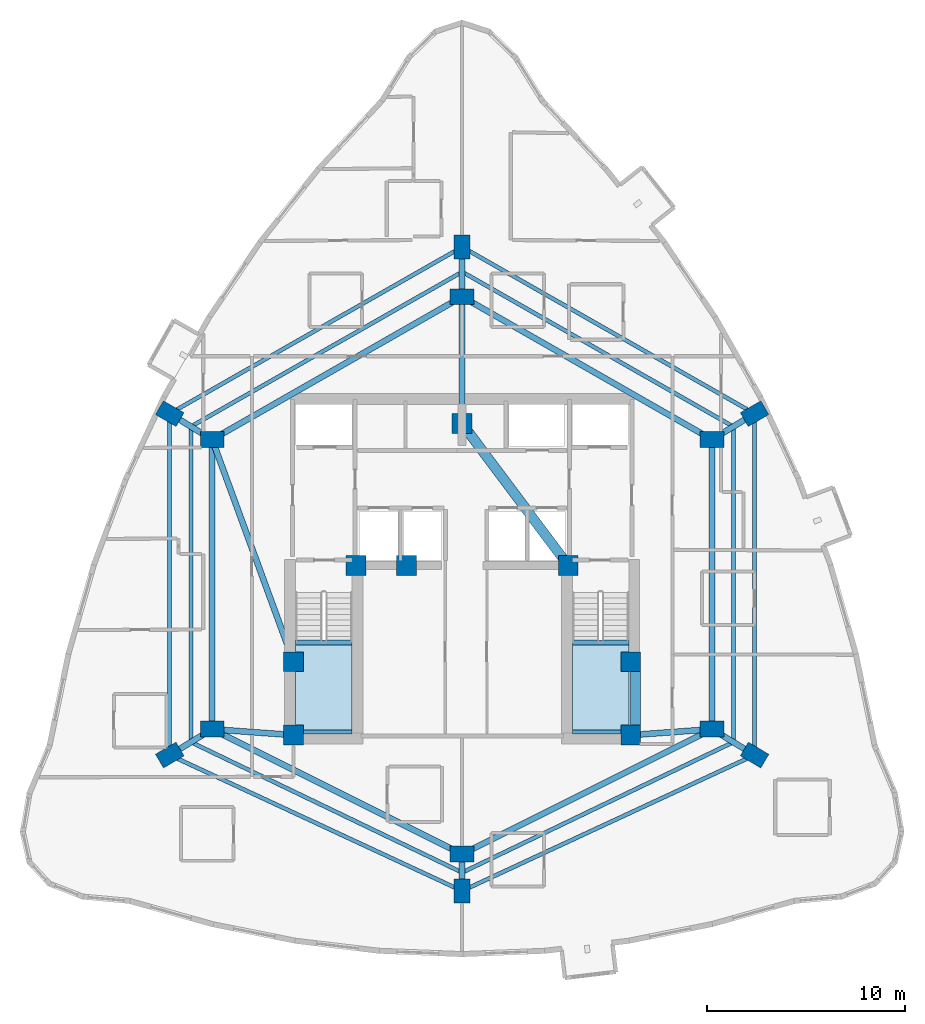
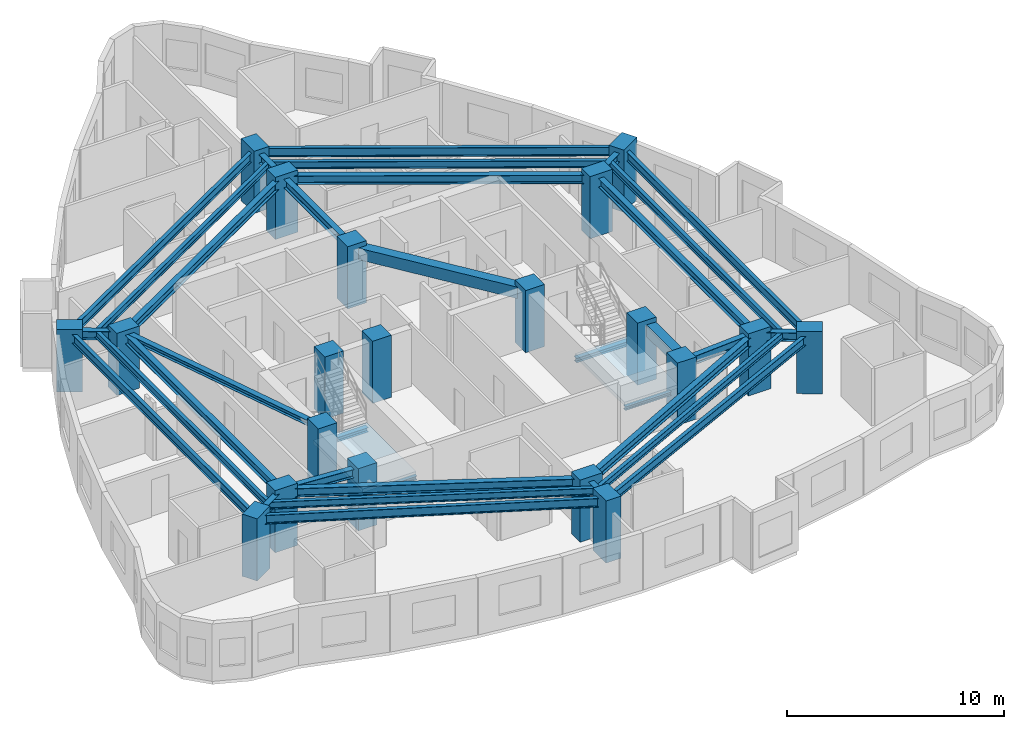
# One storey, part 1 of 12: 34 beams, 20 columns, 2 slabs, 2 elements without a shape of their own.
"""IFC4 building model written with IfcOpenShell, lengths in metres."""

from ifc_helpers import new_model, si_unit, direction, frame, origin, origin_2d, place, context, subcontext, project, spatial, polyline, rectangle, i_section, outline, extrude, material, layer, layer_set, material_profile, profile_set, type_object, element, aggregate, save


model = new_model("IFC4")

# Units and contexts
model_context = context("Model", 3, precision=1e-05, world=origin(), true_north=direction((0.0, 1.0)))
body_context = subcontext(model_context, "Body", "Model", "MODEL_VIEW")
ifc_project = project(units=[si_unit("LENGTHUNIT", "METRE"), si_unit("AREAUNIT", "SQUARE_METRE"), si_unit("VOLUMEUNIT", "CUBIC_METRE"), si_unit("PLANEANGLEUNIT", "RADIAN"), si_unit("MASSUNIT", "GRAM", prefix="KILO")], contexts=[model_context])

# Site, building, storey
site_placement = place(None, origin())
site = spatial("IfcSite", under=ifc_project, at=site_placement, CompositionType="ELEMENT")
building_placement = place(site_placement, origin())
building = spatial("IfcBuilding", under=site, at=building_placement, Name="Miruveldt Soraemaru", CompositionType="ELEMENT")
storey_placement = place(building_placement, frame((0.0, 0.0, 110.89990234375)))
storey = spatial("IfcBuildingStorey", under=building, at=storey_placement, Name="L30", CompositionType="ELEMENT", Elevation=110.89990234375)

# Columns
ifc_material_1 = material(Name="Concrete C60/75 (60 MPa)", Category="concrete")
ifc_material_profile_1 = material_profile(ifc_material_1, rectangle(XDim=1.0, YDim=1.0, at=origin_2d()), Name="Concrete C60/75 (60 MPa)", Category="concrete")
ifc_profile_set_1 = profile_set([ifc_material_profile_1], Name="Concrete C60/75 (60 MPa)")
column_type_1 = type_object("IfcColumnType", Name="COL-CORE-1000", PredefinedType="COLUMN", material=ifc_profile_set_1)
for number, where, z_axis, x_axis, name in (
    (1, (35.5, 35.5, 0.0), (0.0, 0.0, 1.0), (1.0, 0.0, 0.0), "L30 Structural Column CC1"),
    (2, (38.64990234375, 44.050048828125, 0.0), (0.0, 0.0, 1.0), (1.0, 0.0, 0.0), "L30 Structural Column CC2"),
    (3, (52.5, 35.5, 0.0), (0.0, 0.0, 1.0), (1.0, 0.0, 0.0), "L30 Structural Column CC3"),
    (4, (52.5, 39.199951171875, 0.0), (0.0, 0.0, 1.0), (1.0, 0.0, 0.0), "L30 Structural Column CC4"),
    (5, (49.35009765625, 44.050048828125, 0.0), (0.0, 0.0, 1.0), (1.0, 0.0, 0.0), "L30 Structural Column CC5"),
    (6, (44.0, 51.199951171875, 0.0), (0.0, 0.0, 1.0), (1.0, 0.0, 0.0), "L30 Structural Column CC6"),
    (7, (35.5, 39.199951171875, 0.0), (0.0, 0.0, 1.0), (1.0, 0.0, 0.0), "L30 Structural Column CC7"),
    (8, (41.199951171875, 44.050048828125, 0.0), (0.0, 0.0, 1.0), (1.0, 0.0, 0.0), "L30 Structural Column CC8"),
):
    element("IfcColumn", number, at=place(storey_placement, frame(where, z_axis=z_axis, x_axis=x_axis)), inside=storey, type_object=column_type_1, Name=name, PredefinedType="COLUMN", context=body_context, shape_type="SweptSolid", body=[
        extrude(rectangle(XDim=1.0, YDim=1.0, at=origin_2d()), origin(), (0.0, 0.0, 1.0), 3.5),
    ])
ifc_material_2 = material(Name="Concrete C70/85 (70 MPa)", Category="concrete")
ifc_material_profile_2 = material_profile(ifc_material_2, rectangle(XDim=1.199951171875, YDim=0.800048828125, at=origin_2d()), Name="Concrete C70/85 (70 MPa)", Category="concrete")
ifc_profile_set_2 = profile_set([ifc_material_profile_2], Name="Concrete C70/85 (70 MPa)")
column_type_2 = type_object("IfcColumnType", Name="COL-TW-Z2", PredefinedType="COLUMN", material=ifc_profile_set_2)
for number, where, z_axis, x_axis, name in (
    (9, (44.0, 57.60009765625, 0.0), (0.0, 0.0, 1.0), (1.0, 0.0, 0.0), "L30 Structural Column IR01"),
    (10, (56.60009765625, 50.39990234375, 0.0), (0.0, 0.0, 1.0), (1.0, 0.0, 0.0), "L30 Structural Column IR02"),
    (11, (56.60009765625, 35.800048828125, 0.0), (0.0, 0.0, 1.0), (1.0, 0.0, 0.0), "L30 Structural Column IR03"),
    (12, (44.0, 29.5, 0.0), (0.0, 0.0, 1.0), (1.0, 0.0, 0.0), "L30 Structural Column IR04"),
    (13, (31.39990234375, 35.800048828125, 0.0), (0.0, 0.0, 1.0), (1.0, 0.0, 0.0), "L30 Structural Column IR05"),
    (14, (31.39990234375, 50.39990234375, 0.0), (0.0, 0.0, 1.0), (1.0, 0.0, 0.0), "L30 Structural Column IR06"),
    (15, (44.0, 60.10595703125, 0.0), (0.0, 0.0, 1.0), (0.0, 1.0, 0.0), "L30 Structural Column Z2P01"),
    (16, (58.739990234375, 51.705078125, 0.0), (0.0, 0.0, 1.0), (0.866025403784, 0.5, 0.0), "L30 Structural Column Z2P02"),
    (17, (58.739990234375, 34.4951171875, 0.0), (0.0, 0.0, 1.0), (-0.860742027004, 0.50904141575, 0.0), "L30 Structural Column Z2P03"),
    (18, (44.0, 27.64697265625, 0.0), (0.0, 0.0, 1.0), (0.0, 1.0, 0.0), "L30 Structural Column Z2P04"),
    (19, (29.260009765625, 34.4951171875, 0.0), (0.0, 0.0, 1.0), (0.860742027004, 0.50904141575, 0.0), "L30 Structural Column Z2P05"),
    (20, (29.260009765625, 51.705078125, 0.0), (0.0, 0.0, 1.0), (-0.866025403784, 0.5, 0.0), "L30 Structural Column Z2P06"),
):
    element("IfcColumn", number, at=place(storey_placement, frame(where, z_axis=z_axis, x_axis=x_axis)), inside=storey, type_object=column_type_2, Name=name, PredefinedType="COLUMN", context=body_context, shape_type="SweptSolid", body=[
        extrude(rectangle(XDim=1.199951171875, YDim=0.800048828125, at=origin_2d()), origin(), (0.0, 0.0, 1.0), 3.5),
    ])

# Beams
ifc_material_3 = material(Name="Steel SM355 (355 MPa)", Category="steel")
ifc_material_profile_3 = material_profile(ifc_material_3, i_section(OverallWidth=0.300048828125, OverallDepth=0.300048828125, WebThickness=0.010009765625, FlangeThickness=0.014892578125, FilletRadius=0.01806640625, at=origin_2d()), Name="Steel SM355 (355 MPa)", Category="steel")
ifc_profile_set_3 = profile_set([ifc_material_profile_3], Name="Steel SM355 (355 MPa)")
beam_type_1 = type_object("IfcBeamType", Name="BM-LNT-H300", PredefinedType="LINTEL", material=ifc_profile_set_3)
beam_1_placement = place(storey_placement, frame((31.39990234375, 50.39990234375, 3.085205078125), z_axis=(0.343770424598, -0.939053723262, 0.0), x_axis=(0.939053723262, 0.343770424598, 0.0)))
element("IfcBeam", 21, at=beam_1_placement, inside=storey, type_object=beam_type_1, Name="L30 West Lobby Lintel", PredefinedType="LINTEL", context=body_context, shape_type="SweptSolid", body=[
    extrude(i_section(OverallWidth=0.300048828125, OverallDepth=0.300048828125, WebThickness=0.010009765625, FlangeThickness=0.014892578125, FilletRadius=0.01806640625, at=origin_2d()), origin(), (0.0, 0.0, 1.0), 11.9267578125),
])
ifc_material_4 = material(Name="Concrete C50/60 (50 MPa)", Category="concrete")
ifc_material_profile_4 = material_profile(ifc_material_4, rectangle(XDim=0.5, YDim=0.64990234375, at=origin_2d()), Name="Concrete C50/60 (50 MPa)", Category="concrete")
ifc_profile_set_4 = profile_set([ifc_material_profile_4], Name="Concrete C50/60 (50 MPa)")
beam_type_2 = type_object("IfcBeamType", Name="BM-RC-500x650", PredefinedType="BEAM", material=ifc_profile_set_4)
beam_2_placement = place(storey_placement, frame((52.72998046875, 35.5, 2.91015625), z_axis=(0.0, 1.0, 0.0), x_axis=(-1.0, 0.0, 0.0)))
element("IfcBeam", 22, at=beam_2_placement, inside=storey, type_object=beam_type_2, Name="L30 Core Tie Beam 3", PredefinedType="BEAM", context=body_context, shape_type="SweptSolid", body=[
    extrude(rectangle(XDim=0.5, YDim=0.64990234375, at=origin_2d()), origin(), (0.0, 0.0, 1.0), 3.699951171875),
])
beam_3_placement = place(storey_placement, frame((49.35009765625, 44.050048828125, 2.91015625), z_axis=(-0.599116023999, 0.800662219533, 0.0), x_axis=(-0.800662219533, -0.599116023999, 0.0)))
element("IfcBeam", 23, at=beam_3_placement, inside=storey, type_object=beam_type_2, Name="L30 Core Tie Beam 5", PredefinedType="BEAM", context=body_context, shape_type="SweptSolid", body=[
    extrude(rectangle(XDim=0.5, YDim=0.64990234375, at=origin_2d()), origin(), (0.0, 0.0, 1.0), 8.929931640625),
])
ifc_material_profile_5 = material_profile(ifc_material_3, i_section(OverallWidth=0.199951171875, OverallDepth=0.39990234375, WebThickness=0.008056640625, FlangeThickness=0.012939453125, FilletRadius=0.01611328125, at=origin_2d()), Name="Steel SM355 (355 MPa)", Category="steel")
ifc_profile_set_5 = profile_set([ifc_material_profile_5], Name="Steel SM355 (355 MPa)")
beam_type_3 = type_object("IfcBeamType", Name="BM-ST-H400", PredefinedType="JOIST", material=ifc_profile_set_5)
beam_4_placement = place(storey_placement, frame((44.0, 58.85302734375, 3.03515625), z_axis=(0.868539859756, -0.495619321672, 0.0), x_axis=(0.495619321672, 0.868539859756, 0.0)))
element("IfcBeam", 24, at=beam_4_placement, inside=storey, type_object=beam_type_3, Name="L30 Outer Bay Floor Joist 1", PredefinedType="JOIST", context=body_context, shape_type="SweptSolid", body=[
    extrude(i_section(OverallWidth=0.199951171875, OverallDepth=0.39990234375, WebThickness=0.008056640625, FlangeThickness=0.012939453125, FilletRadius=0.01611328125, at=origin_2d()), origin(), (0.0, 0.0, 1.0), 15.739013671875),
])
beam_5_placement = place(storey_placement, frame((57.669921875, 51.052490234375, 3.03515625), z_axis=(0.0, -1.0, 0.0), x_axis=(1.0, 0.0, 0.0)))
element("IfcBeam", 25, at=beam_5_placement, inside=storey, type_object=beam_type_3, Name="L30 Outer Bay Floor Joist 2", PredefinedType="JOIST", context=body_context, shape_type="SweptSolid", body=[
    extrude(i_section(OverallWidth=0.199951171875, OverallDepth=0.39990234375, WebThickness=0.008056640625, FlangeThickness=0.012939453125, FilletRadius=0.01611328125, at=origin_2d()), origin(), (0.0, 0.0, 1.0), 15.905029296875),
])
for number, where, z_axis, x_axis, name in (
    (26, (57.669921875, 35.1474609375, 3.03515625), (-0.901203586802, -0.433396002676, 0.0), (0.433396002676, -0.901203586802, 0.0), "L30 Outer Bay Floor Joist 3"),
    (27, (44.0, 28.573486328125, 3.03515625), (-0.901203586802, 0.433396002676, 0.0), (-0.433396002676, -0.901203586802, 0.0), "L30 Outer Bay Floor Joist 4"),
):
    element("IfcBeam", number, at=place(storey_placement, frame(where, z_axis=z_axis, x_axis=x_axis)), inside=storey, type_object=beam_type_3, Name=name, PredefinedType="JOIST", context=body_context, shape_type="SweptSolid", body=[
        extrude(i_section(OverallWidth=0.199951171875, OverallDepth=0.39990234375, WebThickness=0.008056640625, FlangeThickness=0.012939453125, FilletRadius=0.01611328125, at=origin_2d()), origin(), (0.0, 0.0, 1.0), 15.16845703125),
    ])
beam_6_placement = place(storey_placement, frame((30.330078125, 35.1474609375, 3.03515625), z_axis=(0.0, 1.0, 0.0), x_axis=(-1.0, 0.0, 0.0)))
element("IfcBeam", 28, at=beam_6_placement, inside=storey, type_object=beam_type_3, Name="L30 Outer Bay Floor Joist 5", PredefinedType="JOIST", context=body_context, shape_type="SweptSolid", body=[
    extrude(i_section(OverallWidth=0.199951171875, OverallDepth=0.39990234375, WebThickness=0.008056640625, FlangeThickness=0.012939453125, FilletRadius=0.01611328125, at=origin_2d()), origin(), (0.0, 0.0, 1.0), 15.905029296875),
])
beam_7_placement = place(storey_placement, frame((30.330078125, 51.052490234375, 3.03515625), z_axis=(0.868539859756, 0.495619321672, 0.0), x_axis=(-0.495619321672, 0.868539859756, 0.0)))
element("IfcBeam", 29, at=beam_7_placement, inside=storey, type_object=beam_type_3, Name="L30 Outer Bay Floor Joist 6", PredefinedType="JOIST", context=body_context, shape_type="SweptSolid", body=[
    extrude(i_section(OverallWidth=0.199951171875, OverallDepth=0.39990234375, WebThickness=0.008056640625, FlangeThickness=0.012939453125, FilletRadius=0.01611328125, at=origin_2d()), origin(), (0.0, 0.0, 1.0), 15.739013671875),
])
ifc_material_profile_6 = material_profile(ifc_material_3, i_section(OverallWidth=0.300048828125, OverallDepth=0.488037109375, WebThickness=0.010986328125, FlangeThickness=0.01806640625, FilletRadius=0.02587890625, at=origin_2d()), Name="Steel SM355 (355 MPa)", Category="steel")
ifc_profile_set_6 = profile_set([ifc_material_profile_6], Name="Steel SM355 (355 MPa)")
beam_type_4 = type_object("IfcBeamType", Name="BM-ST-H488", PredefinedType="BEAM", material=ifc_profile_set_6)
beam_8_placement = place(storey_placement, frame((44.0, 57.60009765625, 2.9912109375), z_axis=(0.868239001029, -0.496146185203, 0.0), x_axis=(0.496146185203, 0.868239001029, 0.0)))
element("IfcBeam", 30, at=beam_8_placement, inside=storey, type_object=beam_type_4, Name="L30 Inner Ring Girder 1", PredefinedType="BEAM", context=body_context, shape_type="SweptSolid", body=[
    extrude(i_section(OverallWidth=0.300048828125, OverallDepth=0.488037109375, WebThickness=0.010986328125, FlangeThickness=0.01806640625, FilletRadius=0.02587890625, at=origin_2d()), origin(), (0.0, 0.0, 1.0), 14.51220703125),
])
beam_9_placement = place(storey_placement, frame((44.0, 51.199951171875, 2.9912109375), z_axis=(0.0, 1.0, 0.0), x_axis=(-1.0, 0.0, 0.0)))
element("IfcBeam", 31, at=beam_9_placement, inside=storey, type_object=beam_type_4, Name="L30 Core-to-Inner Radial Girder 1", PredefinedType="BEAM", context=body_context, shape_type="SweptSolid", body=[
    extrude(i_section(OverallWidth=0.300048828125, OverallDepth=0.488037109375, WebThickness=0.010986328125, FlangeThickness=0.01806640625, FilletRadius=0.02587890625, at=origin_2d()), origin(), (0.0, 0.0, 1.0), 6.400146484375),
])
beam_10_placement = place(storey_placement, frame((56.60009765625, 50.39990234375, 2.9912109375), z_axis=(0.0, -1.0, 0.0), x_axis=(1.0, 0.0, 0.0)))
element("IfcBeam", 32, at=beam_10_placement, inside=storey, type_object=beam_type_4, Name="L30 Inner Ring Girder 2", PredefinedType="BEAM", context=body_context, shape_type="SweptSolid", body=[
    extrude(i_section(OverallWidth=0.300048828125, OverallDepth=0.488037109375, WebThickness=0.010986328125, FlangeThickness=0.01806640625, FilletRadius=0.02587890625, at=origin_2d()), origin(), (0.0, 0.0, 1.0), 14.599853515625),
])
beam_11_placement = place(storey_placement, frame((56.60009765625, 35.800048828125, 2.9912109375), z_axis=(-0.894427191, -0.4472135955, 0.0), x_axis=(0.4472135955, -0.894427191, 0.0)))
element("IfcBeam", 33, at=beam_11_placement, inside=storey, type_object=beam_type_4, Name="L30 Inner Ring Girder 3", PredefinedType="BEAM", context=body_context, shape_type="SweptSolid", body=[
    extrude(i_section(OverallWidth=0.300048828125, OverallDepth=0.488037109375, WebThickness=0.010986328125, FlangeThickness=0.01806640625, FilletRadius=0.02587890625, at=origin_2d()), origin(), (0.0, 0.0, 1.0), 14.08740234375),
])
beam_12_placement = place(storey_placement, frame((52.5, 35.5, 2.9912109375), z_axis=(0.997332985605, 0.072985723431, 0.0), x_axis=(-0.072985723431, 0.997332985605, 0.0)))
element("IfcBeam", 34, at=beam_12_placement, inside=storey, type_object=beam_type_4, Name="L30 Core-to-Inner Radial Girder 3", PredefinedType="BEAM", context=body_context, shape_type="SweptSolid", body=[
    extrude(i_section(OverallWidth=0.300048828125, OverallDepth=0.488037109375, WebThickness=0.010986328125, FlangeThickness=0.01806640625, FilletRadius=0.02587890625, at=origin_2d()), origin(), (0.0, 0.0, 1.0), 4.111083984375),
])
beam_13_placement = place(storey_placement, frame((44.0, 29.5, 2.9912109375), z_axis=(-0.894427191, 0.4472135955, 0.0), x_axis=(-0.4472135955, -0.894427191, 0.0)))
element("IfcBeam", 35, at=beam_13_placement, inside=storey, type_object=beam_type_4, Name="L30 Inner Ring Girder 4", PredefinedType="BEAM", context=body_context, shape_type="SweptSolid", body=[
    extrude(i_section(OverallWidth=0.300048828125, OverallDepth=0.488037109375, WebThickness=0.010986328125, FlangeThickness=0.01806640625, FilletRadius=0.02587890625, at=origin_2d()), origin(), (0.0, 0.0, 1.0), 14.08740234375),
])
beam_14_placement = place(storey_placement, frame((31.39990234375, 35.800048828125, 2.9912109375), z_axis=(0.0, 1.0, 0.0), x_axis=(-1.0, 0.0, 0.0)))
element("IfcBeam", 36, at=beam_14_placement, inside=storey, type_object=beam_type_4, Name="L30 Inner Ring Girder 5", PredefinedType="BEAM", context=body_context, shape_type="SweptSolid", body=[
    extrude(i_section(OverallWidth=0.300048828125, OverallDepth=0.488037109375, WebThickness=0.010986328125, FlangeThickness=0.01806640625, FilletRadius=0.02587890625, at=origin_2d()), origin(), (0.0, 0.0, 1.0), 14.599853515625),
])
beam_15_placement = place(storey_placement, frame((35.5, 35.5, 2.9912109375), z_axis=(-0.997332985605, 0.072985723431, 0.0), x_axis=(-0.072985723431, -0.997332985605, 0.0)))
element("IfcBeam", 37, at=beam_15_placement, inside=storey, type_object=beam_type_4, Name="L30 Core-to-Inner Radial Girder 5", PredefinedType="BEAM", context=body_context, shape_type="SweptSolid", body=[
    extrude(i_section(OverallWidth=0.300048828125, OverallDepth=0.488037109375, WebThickness=0.010986328125, FlangeThickness=0.01806640625, FilletRadius=0.02587890625, at=origin_2d()), origin(), (0.0, 0.0, 1.0), 4.111083984375),
])
beam_16_placement = place(storey_placement, frame((31.39990234375, 50.39990234375, 2.9912109375), z_axis=(0.868239001029, 0.496146185203, 0.0), x_axis=(-0.496146185203, 0.868239001029, 0.0)))
element("IfcBeam", 38, at=beam_16_placement, inside=storey, type_object=beam_type_4, Name="L30 Inner Ring Girder 6", PredefinedType="BEAM", context=body_context, shape_type="SweptSolid", body=[
    extrude(i_section(OverallWidth=0.300048828125, OverallDepth=0.488037109375, WebThickness=0.010986328125, FlangeThickness=0.01806640625, FilletRadius=0.02587890625, at=origin_2d()), origin(), (0.0, 0.0, 1.0), 14.51220703125),
])
beam_17_placement = place(storey_placement, frame((44.0, 57.60009765625, 2.9912109375), z_axis=(0.0, 1.0, 0.0), x_axis=(-1.0, 0.0, 0.0)))
element("IfcBeam", 39, at=beam_17_placement, inside=storey, type_object=beam_type_4, Name="L30 Zone-2 Radial Girder 1", PredefinedType="BEAM", context=body_context, shape_type="SweptSolid", body=[
    extrude(i_section(OverallWidth=0.300048828125, OverallDepth=0.488037109375, WebThickness=0.010986328125, FlangeThickness=0.01806640625, FilletRadius=0.02587890625, at=origin_2d()), origin(), (0.0, 0.0, 1.0), 2.505859375),
])
beam_18_placement = place(storey_placement, frame((56.60009765625, 50.39990234375, 2.9912109375), z_axis=(0.85373175529, 0.520713059188, 0.0), x_axis=(-0.520713059188, 0.85373175529, 0.0)))
element("IfcBeam", 40, at=beam_18_placement, inside=storey, type_object=beam_type_4, Name="L30 Zone-2 Radial Girder 2", PredefinedType="BEAM", context=body_context, shape_type="SweptSolid", body=[
    extrude(i_section(OverallWidth=0.300048828125, OverallDepth=0.488037109375, WebThickness=0.010986328125, FlangeThickness=0.01806640625, FilletRadius=0.02587890625, at=origin_2d()), origin(), (0.0, 0.0, 1.0), 2.506591796875),
])
beam_19_placement = place(storey_placement, frame((56.60009765625, 35.800048828125, 2.9912109375), z_axis=(0.853775054686, -0.5206420613, 0.0), x_axis=(0.5206420613, 0.853775054686, 0.0)))
element("IfcBeam", 41, at=beam_19_placement, inside=storey, type_object=beam_type_4, Name="L30 Zone-2 Radial Girder 3", PredefinedType="BEAM", context=body_context, shape_type="SweptSolid", body=[
    extrude(i_section(OverallWidth=0.300048828125, OverallDepth=0.488037109375, WebThickness=0.010986328125, FlangeThickness=0.01806640625, FilletRadius=0.02587890625, at=origin_2d()), origin(), (0.0, 0.0, 1.0), 2.50634765625),
])
beam_20_placement = place(storey_placement, frame((44.0, 29.5, 2.9912109375), z_axis=(0.0, -1.0, 0.0), x_axis=(1.0, 0.0, 0.0)))
element("IfcBeam", 42, at=beam_20_placement, inside=storey, type_object=beam_type_4, Name="L30 Zone-2 Radial Girder 4", PredefinedType="BEAM", context=body_context, shape_type="SweptSolid", body=[
    extrude(i_section(OverallWidth=0.300048828125, OverallDepth=0.488037109375, WebThickness=0.010986328125, FlangeThickness=0.01806640625, FilletRadius=0.02587890625, at=origin_2d()), origin(), (0.0, 0.0, 1.0), 1.85302734375),
])
beam_21_placement = place(storey_placement, frame((31.39990234375, 35.800048828125, 2.9912109375), z_axis=(-0.853775054686, -0.5206420613, 0.0), x_axis=(0.5206420613, -0.853775054686, 0.0)))
element("IfcBeam", 43, at=beam_21_placement, inside=storey, type_object=beam_type_4, Name="L30 Zone-2 Radial Girder 5", PredefinedType="BEAM", context=body_context, shape_type="SweptSolid", body=[
    extrude(i_section(OverallWidth=0.300048828125, OverallDepth=0.488037109375, WebThickness=0.010986328125, FlangeThickness=0.01806640625, FilletRadius=0.02587890625, at=origin_2d()), origin(), (0.0, 0.0, 1.0), 2.50634765625),
])
beam_22_placement = place(storey_placement, frame((31.39990234375, 50.39990234375, 2.9912109375), z_axis=(-0.85373175529, 0.520713059188, 0.0), x_axis=(-0.520713059188, -0.85373175529, 0.0)))
element("IfcBeam", 44, at=beam_22_placement, inside=storey, type_object=beam_type_4, Name="L30 Zone-2 Radial Girder 6", PredefinedType="BEAM", context=body_context, shape_type="SweptSolid", body=[
    extrude(i_section(OverallWidth=0.300048828125, OverallDepth=0.488037109375, WebThickness=0.010986328125, FlangeThickness=0.01806640625, FilletRadius=0.02587890625, at=origin_2d()), origin(), (0.0, 0.0, 1.0), 2.506591796875),
])
ifc_material_profile_7 = material_profile(ifc_material_3, i_section(OverallWidth=0.199951171875, OverallDepth=0.5, WebThickness=0.010009765625, FlangeThickness=0.01611328125, FilletRadius=0.02001953125, at=origin_2d()), Name="Steel SM355 (355 MPa)", Category="steel")
ifc_profile_set_7 = profile_set([ifc_material_profile_7], Name="Steel SM355 (355 MPa)")
beam_type_5 = type_object("IfcBeamType", Name="BM-ST-H500", PredefinedType="SPANDREL", material=ifc_profile_set_7)
beam_23_placement = place(storey_placement, frame((44.0, 60.10595703125, 2.985107421875), z_axis=(0.86880048516, -0.495162313778, 0.0), x_axis=(0.495162313778, 0.86880048516, 0.0)))
element("IfcBeam", 45, at=beam_23_placement, inside=storey, type_object=beam_type_5, Name="L30 Zone-2 Spandrel Beam 1", PredefinedType="SPANDREL", context=body_context, shape_type="SweptSolid", body=[
    extrude(i_section(OverallWidth=0.199951171875, OverallDepth=0.5, WebThickness=0.010009765625, FlangeThickness=0.01611328125, FilletRadius=0.02001953125, at=origin_2d()), origin(), (0.0, 0.0, 1.0), 16.9658203125),
])
beam_24_placement = place(storey_placement, frame((58.739990234375, 51.705078125, 2.985107421875), z_axis=(0.0, -1.0, 0.0), x_axis=(1.0, 0.0, 0.0)))
element("IfcBeam", 46, at=beam_24_placement, inside=storey, type_object=beam_type_5, Name="L30 Zone-2 Spandrel Beam 2", PredefinedType="SPANDREL", context=body_context, shape_type="SweptSolid", body=[
    extrude(i_section(OverallWidth=0.199951171875, OverallDepth=0.5, WebThickness=0.010009765625, FlangeThickness=0.01611328125, FilletRadius=0.02001953125, at=origin_2d()), origin(), (0.0, 0.0, 1.0), 17.2099609375),
])
for number, where, z_axis, x_axis, name in (
    (47, (58.739990234375, 34.4951171875, 2.985107421875), (-0.906901362829, -0.421342993414, 0.0), (0.421342993414, -0.906901362829, 0.0), "L30 Zone-2 Spandrel Beam 3"),
    (48, (44.0, 27.64697265625, 2.985107421875), (-0.906901362829, 0.421342993414, 0.0), (-0.421342993414, -0.906901362829, 0.0), "L30 Zone-2 Spandrel Beam 4"),
):
    element("IfcBeam", number, at=place(storey_placement, frame(where, z_axis=z_axis, x_axis=x_axis)), inside=storey, type_object=beam_type_5, Name=name, PredefinedType="SPANDREL", context=body_context, shape_type="SweptSolid", body=[
        extrude(i_section(OverallWidth=0.199951171875, OverallDepth=0.5, WebThickness=0.010009765625, FlangeThickness=0.01611328125, FilletRadius=0.02001953125, at=origin_2d()), origin(), (0.0, 0.0, 1.0), 16.253173828125),
    ])
beam_25_placement = place(storey_placement, frame((29.260009765625, 34.4951171875, 2.985107421875), z_axis=(0.0, 1.0, 0.0), x_axis=(-1.0, 0.0, 0.0)))
element("IfcBeam", 49, at=beam_25_placement, inside=storey, type_object=beam_type_5, Name="L30 Zone-2 Spandrel Beam 5", PredefinedType="SPANDREL", context=body_context, shape_type="SweptSolid", body=[
    extrude(i_section(OverallWidth=0.199951171875, OverallDepth=0.5, WebThickness=0.010009765625, FlangeThickness=0.01611328125, FilletRadius=0.02001953125, at=origin_2d()), origin(), (0.0, 0.0, 1.0), 17.2099609375),
])
beam_26_placement = place(storey_placement, frame((29.260009765625, 51.705078125, 2.985107421875), z_axis=(0.86880048516, 0.495162313778, 0.0), x_axis=(-0.495162313778, 0.86880048516, 0.0)))
element("IfcBeam", 50, at=beam_26_placement, inside=storey, type_object=beam_type_5, Name="L30 Zone-2 Spandrel Beam 6", PredefinedType="SPANDREL", context=body_context, shape_type="SweptSolid", body=[
    extrude(i_section(OverallWidth=0.199951171875, OverallDepth=0.5, WebThickness=0.010009765625, FlangeThickness=0.01611328125, FilletRadius=0.02001953125, at=origin_2d()), origin(), (0.0, 0.0, 1.0), 16.9658203125),
])
ifc_material_profile_8 = material_profile(ifc_material_3, i_section(OverallWidth=0.199951171875, OverallDepth=0.199951171875, WebThickness=0.008056640625, FlangeThickness=0.011962890625, FilletRadius=0.012939453125, at=origin_2d()), Name="Steel SM355 (355 MPa)", Category="steel")
ifc_profile_set_8 = profile_set([ifc_material_profile_8], Name="Steel SM355 (355 MPa)")
beam_type_6 = type_object("IfcBeamType", Name="BM-ST-LND200", PredefinedType="BEAM", material=ifc_profile_set_8)
for number, where, z_axis, x_axis, name in (
    (51, (35.60009765625, 35.64990234375, 1.4501953125), (1.0, 0.0, 0.0), (0.0, 1.0, 0.0), "L30 ST1 Landing End Beam 1B"),
    (52, (49.550048828125, 35.64990234375, 1.4501953125), (1.0, 0.0, 0.0), (0.0, 1.0, 0.0), "L30 ST2 Landing End Beam 1B"),
):
    element("IfcBeam", number, at=place(storey_placement, frame(where, z_axis=z_axis, x_axis=x_axis)), inside=storey, type_object=beam_type_6, Name=name, PredefinedType="BEAM", context=body_context, shape_type="SweptSolid", body=[
        extrude(i_section(OverallWidth=0.199951171875, OverallDepth=0.199951171875, WebThickness=0.008056640625, FlangeThickness=0.011962890625, FilletRadius=0.012939453125, at=origin_2d()), origin(), (0.0, 0.0, 1.0), 2.849853515625),
    ])
ifc_material_profile_9 = material_profile(ifc_material_3, i_section(OverallWidth=0.25, OverallDepth=0.25, WebThickness=0.009033203125, FlangeThickness=0.013916015625, FilletRadius=0.01611328125, at=origin_2d()), Name="Steel SM355 (355 MPa)", Category="steel")
ifc_profile_set_9 = profile_set([ifc_material_profile_9], Name="Steel SM355 (355 MPa)")
beam_type_7 = type_object("IfcBeamType", Name="BM-ST-LND250", PredefinedType="BEAM", material=ifc_profile_set_9)
for number, where, z_axis, x_axis, name in (
    (53, (35.60009765625, 40.179931640625, 1.425048828125), (1.0, 0.0, 0.0), (0.0, 1.0, 0.0), "L30 ST1 Landing Support Beam 1A"),
    (54, (49.550048828125, 40.179931640625, 1.425048828125), (1.0, 0.0, 0.0), (0.0, 1.0, 0.0), "L30 ST2 Landing Support Beam 1A"),
):
    element("IfcBeam", number, at=place(storey_placement, frame(where, z_axis=z_axis, x_axis=x_axis)), inside=storey, type_object=beam_type_7, Name=name, PredefinedType="BEAM", context=body_context, shape_type="SweptSolid", body=[
        extrude(i_section(OverallWidth=0.25, OverallDepth=0.25, WebThickness=0.009033203125, FlangeThickness=0.013916015625, FilletRadius=0.01611328125, at=origin_2d()), origin(), (0.0, 0.0, 1.0), 2.849853515625),
    ])

# Stair, slab
ifc_material_5 = material(Name="Concrete C40/50 (40 MPa)", Category="concrete")
stair_type = type_object("IfcStairType", Name="STAIR-DL-350", PredefinedType="HALF_TURN_STAIR", material=ifc_material_5)
stair_1_placement = place(storey_placement, origin())
stair_1 = element("IfcStair", 55, at=stair_1_placement, inside=storey, type_object=stair_type, Name="L30 Protected Exit Stair ST-1", PredefinedType="HALF_TURN_STAIR")
ifc_layer = layer(ifc_material_5, 0.199951171875, Name="Concrete C40/50 (40 MPa)", Category="concrete")
ifc_layer_set = layer_set([ifc_layer], Name="Concrete C40/50 (40 MPa)")
slab_type = type_object("IfcSlabType", Name="SLAB-LAND-200", PredefinedType="LANDING", material=ifc_layer_set)
slab_1_placement = place(storey_placement, frame((0.0, 0.0, 1.550048828125)))
slab_1 = element("IfcSlab", 56, at=slab_1_placement, type_object=slab_type, Name="ST-1 landing 1", PredefinedType="LANDING", context=body_context, shape_type="SweptSolid", body=[
    extrude(outline(polyline([(35.60009765625, 40.197998046875), (35.60009765625, 35.64990234375), (38.449951171875, 35.64990234375), (38.449951171875, 40.197998046875), (35.60009765625, 40.197998046875)])), origin(), (0.0, 0.0, 1.0), 0.199951171875),
])
aggregate(stair_1, [slab_1])

stair_2_placement = place(storey_placement, origin())
stair_2 = element("IfcStair", 57, at=stair_2_placement, inside=storey, type_object=stair_type, Name="L30 Protected Exit Stair ST-2", PredefinedType="HALF_TURN_STAIR")
slab_2_placement = place(storey_placement, frame((0.0, 0.0, 1.550048828125)))
slab_2 = element("IfcSlab", 58, at=slab_2_placement, type_object=slab_type, Name="ST-2 landing 1", PredefinedType="LANDING", context=body_context, shape_type="SweptSolid", body=[
    extrude(outline(polyline([(49.550048828125, 40.197998046875), (49.550048828125, 35.64990234375), (52.39990234375, 35.64990234375), (52.39990234375, 40.197998046875), (49.550048828125, 40.197998046875)])), origin(), (0.0, 0.0, 1.0), 0.199951171875),
])
aggregate(stair_2, [slab_2])

save(model, "model.ifc")
